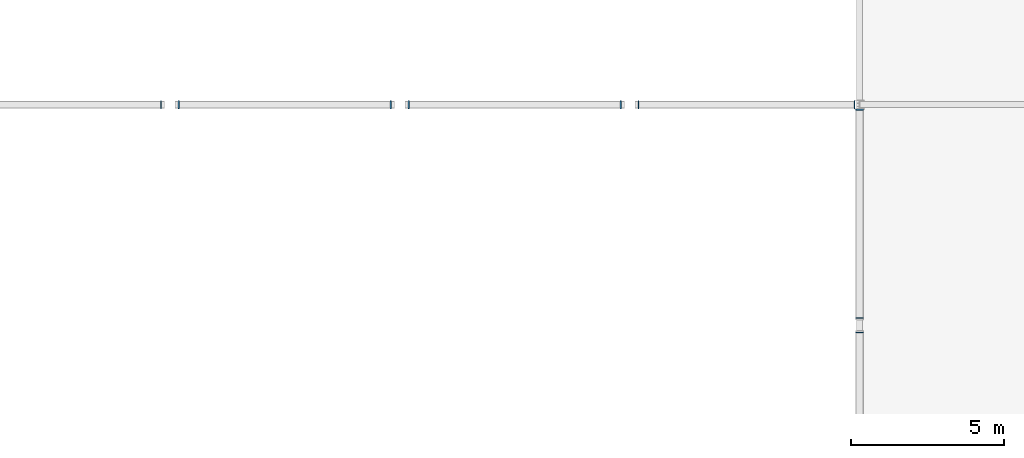
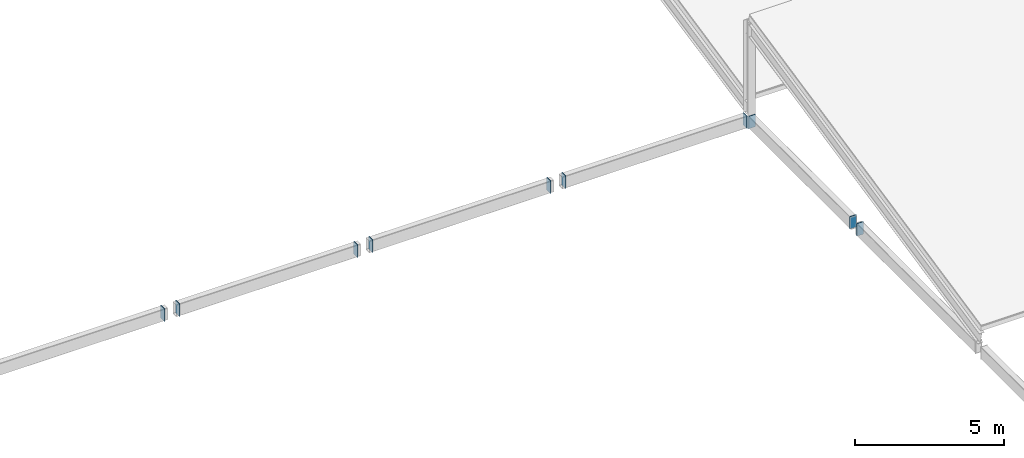
# One storey, part 32 of 45: 10 plates.
"""IFC4 building model written with IfcOpenShell, lengths in metres."""

from ifc_helpers import new_model, si_unit, direction, frame, origin, origin_2d, place, context, subcontext, project, spatial, rectangle, extrude, material, layer, layer_set, type_object, element, save


model = new_model("IFC4")

# Units and contexts
model_context = context("Model", 3, precision=1e-05, world=origin(), true_north=direction((0.0, 1.0)))
body_context = subcontext(model_context, "Body", "Model", "MODEL_VIEW")
ifc_project = project(units=[si_unit("LENGTHUNIT", "METRE"), si_unit("AREAUNIT", "SQUARE_METRE"), si_unit("VOLUMEUNIT", "CUBIC_METRE"), si_unit("PLANEANGLEUNIT", "RADIAN"), si_unit("MASSUNIT", "GRAM", prefix="KILO")], contexts=[model_context])

# Site, building, storey
site_placement = place(None, origin())
site = spatial("IfcSite", under=ifc_project, at=site_placement, CompositionType="ELEMENT")
building_placement = place(site_placement, origin())
building = spatial("IfcBuilding", under=site, at=building_placement, Name="Yukiwa Park Conservatory and Herbarium", CompositionType="ELEMENT")
storey_placement = place(building_placement, frame((0.0, 0.0, 9.0)))
storey = spatial("IfcBuildingStorey", under=building, at=storey_placement, Name="L02", CompositionType="ELEMENT", Elevation=9.0)

# Plates
ifc_material_1 = material(Name="Steel Q355D", Category="steel")
ifc_layer_1 = layer(ifc_material_1, 0.02392578125)
ifc_layer_set_1 = layer_set([ifc_layer_1], Name="Steel Q355D")
plate_type_1 = type_object("IfcPlateType", Name="PL-CAP-24", PredefinedType="USERDEFINED", material=ifc_layer_set_1)
for number, where, z_axis, x_axis, name in (
    (1, (37.197021484375, 31.199951171875, -0.25), (1.0, 0.0, 0.0), (0.0, 1.0, 0.0), "Hollow section end cap plate CAP-VRNG-N-5B"),
    (2, (37.802978515625, 31.199951171875, -0.25), (-1.0, 0.0, 0.0), (0.0, -1.0, 0.0), "Hollow section end cap plate CAP-VRNG-N-6A"),
    (3, (44.697021484375, 31.199951171875, -0.25), (1.0, 0.0, 0.0), (0.0, 1.0, 0.0), "Hollow section end cap plate CAP-VRNG-N-6B"),
    (4, (45.302978515625, 31.199951171875, -0.25), (-1.0, 0.0, 0.0), (0.0, -1.0, 0.0), "Hollow section end cap plate CAP-VRNG-N-7A"),
    (5, (52.197021484375, 31.199951171875, -0.25), (1.0, 0.0, 0.0), (0.0, 1.0, 0.0), "Hollow section end cap plate CAP-VRNG-N-7B"),
    (6, (52.802978515625, 31.199951171875, -0.25), (-1.0, 0.0, 0.0), (0.0, -1.0, 0.0), "Hollow section end cap plate CAP-VRNG-N-8A"),
    (7, (59.822021484375, 31.199951171875, -0.25), (1.0, 0.0, 0.0), (0.0, 1.0, 0.0), "Hollow section end cap plate CAP-VRNG-N-8B"),
):
    element("IfcPlate", number, at=place(storey_placement, frame(where, z_axis=z_axis, x_axis=x_axis)), inside=storey, type_object=plate_type_1, Name=name, ObjectType="END CAP PLATE", PredefinedType="USERDEFINED", context=body_context, shape_type="SweptSolid", body=[
        extrude(rectangle(XDim=0.258056640625, YDim=0.508056640625, at=origin_2d()), origin(), (0.0, 0.0, 1.0), 0.02392578125),
    ])
ifc_material_2 = material(Name="Steel Q355D", Category="steel")
ifc_layer_2 = layer(ifc_material_2, 0.02392578125)
ifc_layer_set_2 = layer_set([ifc_layer_2], Name="Steel Q355D")
plate_type_2 = type_object("IfcPlateType", Name="PL-CAP-24-INT", PredefinedType="USERDEFINED", material=ifc_layer_set_2)
for number, where, z_axis, x_axis, name in (
    (8, (60.0, 23.75, -0.25), (0.0, 1.0, 0.0), (-1.0, 0.0, 0.0), "Hollow section end cap plate CAP-VGBL-E-3B"),
    (9, (60.0, 24.25, -0.25), (0.0, -1.0, 0.0), (1.0, 0.0, 0.0), "Hollow section end cap plate CAP-VGBL-E-4A"),
    (10, (60.0, 31.02197265625, -0.25), (0.0, 1.0, 0.0), (-1.0, 0.0, 0.0), "Hollow section end cap plate CAP-VGBL-E-4B"),
):
    element("IfcPlate", number, at=place(storey_placement, frame(where, z_axis=z_axis, x_axis=x_axis)), inside=storey, type_object=plate_type_2, Name=name, ObjectType="END CAP PLATE", PredefinedType="USERDEFINED", context=body_context, shape_type="SweptSolid", body=[
        extrude(rectangle(XDim=0.258056640625, YDim=0.508056640625, at=origin_2d()), origin(), (0.0, 0.0, 1.0), 0.02392578125),
    ])

save(model, "model.ifc")
